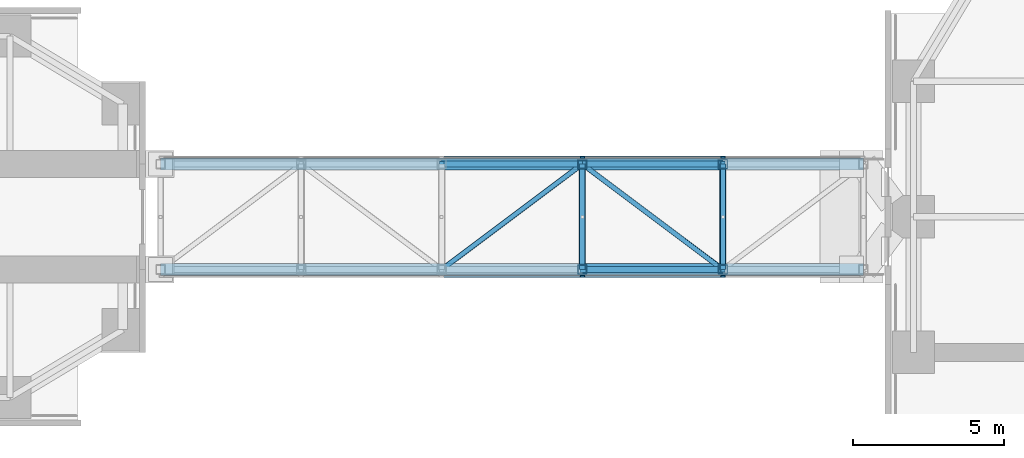
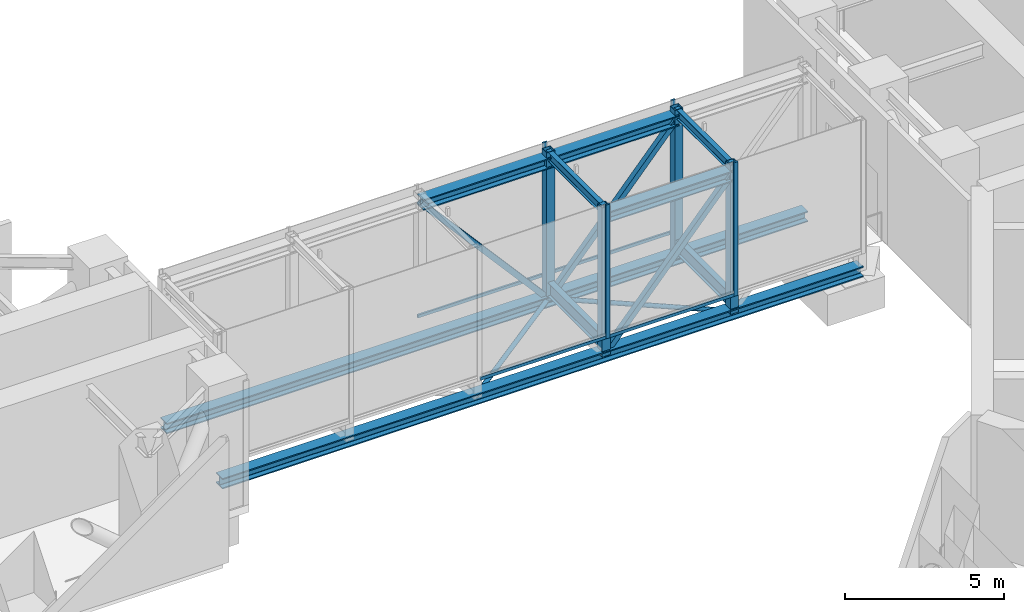
# One storey, part 4 of 17: 22 members, 4 beams, 2 elements without a shape of their own.
"""IFC4 building model written with IfcOpenShell, lengths in metres."""

import ifcopenshell
import ifcopenshell.guid

model = None  # the IFC model being written
_history = None  # IfcOwnerHistory: only IFC2X3 demands one
_inside = {}  # id of a spatial element -> (the spatial element, [elements in it])
_under = {}  # id of a project, library or spatial element -> (it, [spatial elements below it])
_declared = {}  # id of a project -> (the project, [libraries it declares])
_typed = {}  # id of a type object -> (the type object, [elements of that type])
_made_of = {}  # id of a material, layer set ... -> (it, [elements and type objects made of it])


def new_model(schema):
    """Start an empty IFC model of exactly this schema.

    Asked for "IFC4X3", IfcOpenShell would pick the latest addendum, in which some entities
    have other attributes; the version numbers below select the first issue.
    IFC2X3 requires an IfcOwnerHistory on every rooted entity: one is made here for all.
    """
    global model, _history
    if schema == "IFC4X3":
        model = ifcopenshell.file(schema_version=(4, 3, 0, 0))
    else:
        model = ifcopenshell.file(schema=schema)
    _inside.clear()
    _under.clear()
    _declared.clear()
    _typed.clear()
    _made_of.clear()
    _history = None
    if model.schema == "IFC2X3":
        org = make("IfcOrganization", Name="unknown")
        user = make(
            "IfcPersonAndOrganization",
            ThePerson=make("IfcPerson", FamilyName="unknown"),
            TheOrganization=org,
        )
        app = make(
            "IfcApplication",
            ApplicationDeveloper=org,
            Version="unknown",
            ApplicationFullName="unknown",
            ApplicationIdentifier="unknown",
        )
        _history = make(
            "IfcOwnerHistory",
            OwningUser=user,
            OwningApplication=app,
            ChangeAction="ADDED",
            CreationDate=0,
        )
    return model


def make(cls, **values):
    """One entity of the class cls with the attributes given. An attribute that is None is left unset."""
    return model.create_entity(
        cls, **{name: value for name, value in values.items() if value is not None}
    )


def rooted(cls, **values):
    """An entity with a GlobalId (a new one), such as an element, a storey or a relation."""
    return make(cls, GlobalId=ifcopenshell.guid.new(), OwnerHistory=_history, **values)


def si_unit(unit_type, name, prefix=None):
    """IfcSIUnit, for example si_unit("LENGTHUNIT", "METRE", prefix="MILLI")."""
    return make("IfcSIUnit", UnitType=unit_type, Prefix=prefix, Name=name)


def assignment(units):
    """IfcUnitAssignment: the units of a project."""
    return None if units is None else make("IfcUnitAssignment", Units=units)


def point(xyz):
    """IfcCartesianPoint."""
    return None if xyz is None else make("IfcCartesianPoint", Coordinates=xyz)


def direction(xyz):
    """IfcDirection."""
    return None if xyz is None else make("IfcDirection", DirectionRatios=xyz)


def frame(location, z_axis=None, x_axis=None):
    """IfcAxis2Placement3D, a coordinate frame: its origin and axes. An axis left out is left unset."""
    return make(
        "IfcAxis2Placement3D",
        Location=point(location),
        Axis=direction(z_axis),
        RefDirection=direction(x_axis),
    )


def frame_2d(location, x_axis=None):
    """IfcAxis2Placement2D, a coordinate frame in the plane: its origin and x axis."""
    return make(
        "IfcAxis2Placement2D", Location=point(location), RefDirection=direction(x_axis)
    )


def origin():
    """The frame at (0, 0, 0) with its axes left unset."""
    return frame((0.0, 0.0, 0.0))


def origin_2d():
    """The frame at (0, 0) in the plane with its x axis left unset."""
    return frame_2d((0.0, 0.0))


def place(relative_to, where):
    """IfcLocalPlacement: puts the frame where relative to a parent placement (None: the world)."""
    return make(
        "IfcLocalPlacement", PlacementRelTo=relative_to, RelativePlacement=where
    )


def context(
    kind, dimensions, precision=None, world=None, true_north=None, identifier=None
):
    """IfcGeometricRepresentationContext, for example the 3D "Model" context."""
    return make(
        "IfcGeometricRepresentationContext",
        ContextIdentifier=identifier,
        ContextType=kind,
        CoordinateSpaceDimension=dimensions,
        Precision=precision,
        WorldCoordinateSystem=world,
        TrueNorth=true_north,
    )


def subcontext(parent, identifier, kind, view, scale=None):
    """IfcGeometricRepresentationSubContext, for example "Body" below "Model"."""
    return make(
        "IfcGeometricRepresentationSubContext",
        ContextIdentifier=identifier,
        ContextType=kind,
        ParentContext=parent,
        TargetScale=scale,
        TargetView=view,
    )


def project(units=None, contexts=None):
    """IfcProject with its units and contexts."""
    return rooted(
        "IfcProject",
        Name="project",
        RepresentationContexts=contexts,
        UnitsInContext=assignment(units),
    )


def spatial(cls, under=None, at=None, **own):
    """A site, building, storey or space (cls), placed at a placement, below another one or the project."""
    s = rooted(cls, ObjectPlacement=at, **own)
    if under is not None:
        _under.setdefault(under.id(), (under, []))[1].append(s)
    return s


def profile(cls, at=None, kind="AREA", **sizes):
    """A parametric profile (cls). Its sizes go by their IFC names, for example OverallWidth=200.0."""
    return make(cls, ProfileType=kind, Position=at, **sizes)


def rectangle(**sizes):
    """IfcRectangleProfileDef."""
    return profile("IfcRectangleProfileDef", **sizes)


def hollow_rectangle(**sizes):
    """IfcRectangleHollowProfileDef."""
    return profile("IfcRectangleHollowProfileDef", **sizes)


def hollow_circle(**sizes):
    """IfcCircleHollowProfileDef."""
    return profile("IfcCircleHollowProfileDef", **sizes)


def i_section(**sizes):
    """IfcIShapeProfileDef."""
    return profile("IfcIShapeProfileDef", **sizes)


def extrude(swept, where, along, depth):
    """IfcExtrudedAreaSolid: the profile swept, set in the frame where, extruded along a direction by depth."""
    return make(
        "IfcExtrudedAreaSolid",
        SweptArea=swept,
        Position=where,
        ExtrudedDirection=direction(along),
        Depth=depth,
    )


def shape(context_of_items, identifier, shape_type, items):
    """IfcShapeRepresentation: the items that make up one representation, for example the "Body"."""
    return make(
        "IfcShapeRepresentation",
        ContextOfItems=context_of_items,
        RepresentationIdentifier=identifier,
        RepresentationType=shape_type,
        Items=items,
    )


def material(Name=None, Category=None):
    """IfcMaterial."""
    return make("IfcMaterial", Name=Name, Category=Category)


def material_profile(
    of_material, cross_section, Name=None, Category=None, Priority=None
):
    """IfcMaterialProfile: a cross section and its material."""
    return make(
        "IfcMaterialProfile",
        Name=Name,
        Material=of_material,
        Profile=cross_section,
        Priority=Priority,
        Category=Category,
    )


def profile_set(profiles, Name=None, composite=None):
    """IfcMaterialProfileSet."""
    return make(
        "IfcMaterialProfileSet",
        Name=Name,
        MaterialProfiles=profiles,
        CompositeProfile=composite,
    )


def made_of(thing, what):
    """Note that an element or type object is made of a material, layer set ...; save() writes the relation."""
    if what is not None:
        _made_of.setdefault(what.id(), (what, []))[1].append(thing)
    return thing


def type_object(cls, material=None, **own):
    """A type object (cls), such as IfcWallType, which elements share."""
    return made_of(rooted(cls, **own), material)


def element(
    cls,
    number,
    at=None,
    inside=None,
    cuts=None,
    type_object=None,
    material=None,
    context=None,
    identifier="Body",
    shape_type=None,
    held_by="IfcProductDefinitionShape",
    body=None,
    shapes=None,
    **own,
):
    """One element of the class cls, such as IfcWall. Its Tag is "e" and its number.

    at: its placement. inside: the storey or other place that contains it. cuts: it is an
    opening in that element (IfcRelVoidsElement). A single representation is given by context,
    identifier, shape_type and body (its items); several are given by shapes. held_by: the class
    of the entity that holds the representations. save() writes the other relations.
    """
    e = rooted(cls, Tag="e%d" % number, ObjectPlacement=at, **own)
    if body is not None:
        shapes = [shape(context, identifier, shape_type, body)]
    if shapes is not None:
        e.Representation = make(held_by, Representations=shapes)
    if inside is not None:
        _inside.setdefault(inside.id(), (inside, []))[1].append(e)
    if cuts is not None:
        rooted(
            "IfcRelVoidsElement", RelatingBuildingElement=cuts, RelatedOpeningElement=e
        )
    if type_object is not None:
        _typed.setdefault(type_object.id(), (type_object, []))[1].append(e)
    return made_of(e, material)


def aggregate(whole, parts):
    """IfcRelAggregates: a whole, such as a stair, and the parts it consists of."""
    return rooted("IfcRelAggregates", RelatingObject=whole, RelatedObjects=parts)


def save(model, path):
    """Write the relations noted so far, then the file.

    IfcRelAggregates (storeys below a building ...), IfcRelContainedInSpatialStructure (elements
    in a storey), IfcRelDefinesByType, IfcRelAssociatesMaterial and IfcRelDeclares: one each for
    every whole, place, type object, material and project.
    """
    for whole, parts in _under.values():
        aggregate(whole, parts)
    for where, things in _inside.values():
        rooted(
            "IfcRelContainedInSpatialStructure",
            RelatedElements=things,
            RelatingStructure=where,
        )
    for kind, things in _typed.values():
        rooted("IfcRelDefinesByType", RelatedObjects=things, RelatingType=kind)
    for what, things in _made_of.values():
        rooted("IfcRelAssociatesMaterial", RelatedObjects=things, RelatingMaterial=what)
    for by, libraries in _declared.values():
        rooted("IfcRelDeclares", RelatingContext=by, RelatedDefinitions=libraries)
    model.write(path)


model = new_model("IFC4")

# Units and contexts
model_context = context("Model", 3, precision=1e-05, world=origin(), true_north=direction((0.0, 1.0)))
body_context = subcontext(model_context, "Body", "Model", "MODEL_VIEW")
ifc_project = project(units=[si_unit("LENGTHUNIT", "METRE"), si_unit("AREAUNIT", "SQUARE_METRE"), si_unit("VOLUMEUNIT", "CUBIC_METRE"), si_unit("PLANEANGLEUNIT", "RADIAN"), si_unit("MASSUNIT", "GRAM", prefix="KILO")], contexts=[model_context])

# Site, building, storey
site_placement = place(None, origin())
site = spatial("IfcSite", under=ifc_project, at=site_placement, CompositionType="ELEMENT")
building_placement = place(site_placement, origin())
building = spatial("IfcBuilding", under=site, at=building_placement, Name="Upepo Twin Towers", CompositionType="ELEMENT")
storey_placement = place(building_placement, frame((0.0, 0.0, 92.5)))
storey = spatial("IfcBuildingStorey", under=building, at=storey_placement, Name="L22", CompositionType="ELEMENT", Elevation=92.5)

# Beams
ifc_material_1 = material(Name="Steel S355", Category="steel")
ifc_material_profile_1 = material_profile(ifc_material_1, i_section(OverallWidth=0.17138671875, OverallDepth=0.35498046875, WebThickness=0.00732421875, FlangeThickness=0.011474609375, FilletRadius=0.01025390625, at=origin_2d()), Name="UB 356x171x51")
ifc_profile_set_1 = profile_set([ifc_material_profile_1], Name="Steel S355")
beam_type_1 = type_object("IfcBeamType", Name="Beam UB 356x171x51", PredefinedType="BEAM", material=ifc_profile_set_1)
for number, where, z_axis, x_axis, name in (
    (1, (41.50390625, -1.75, 4.62255859375), (0.0, 1.0, 0.0), (-1.0, 0.0, 0.0), "BR1 roof beam 3"),
    (2, (46.172119140625, -1.75, 4.62255859375), (0.0, 1.0, 0.0), (-1.0, 0.0, 0.0), "BR1 roof beam 4"),
):
    element("IfcBeam", number, at=place(storey_placement, frame(where, z_axis=z_axis, x_axis=x_axis)), inside=storey, type_object=beam_type_1, Name=name, PredefinedType="BEAM", context=body_context, shape_type="SweptSolid", body=[
        extrude(i_section(OverallWidth=0.17138671875, OverallDepth=0.35498046875, WebThickness=0.00732421875, FlangeThickness=0.011474609375, FilletRadius=0.01025390625, at=origin_2d()), origin(), (0.0, 0.0, 1.0), 3.5),
    ])
ifc_material_2 = material(Name="Steel S355", Category="steel")
ifc_material_profile_2 = material_profile(ifc_material_2, i_section(OverallWidth=0.209228515625, OverallDepth=0.533203125, WebThickness=0.010009765625, FlangeThickness=0.015625, FilletRadius=0.0126953125, at=origin_2d()), Name="UB 533x210x92")
ifc_profile_set_2 = profile_set([ifc_material_profile_2], Name="Steel S355")
beam_type_2 = type_object("IfcBeamType", Name="Beam UB 533x210x92", PredefinedType="BEAM", material=ifc_profile_set_2)
for number, where, z_axis, x_axis, name in (
    (3, (41.50390625, -1.75, -0.466552734375), (0.0, 1.0, 0.0), (-1.0, 0.0, 0.0), "BR1 floor beam 3"),
    (4, (46.172119140625, -1.75, -0.466552734375), (0.0, 1.0, 0.0), (-1.0, 0.0, 0.0), "BR1 floor beam 4"),
):
    element("IfcBeam", number, at=place(storey_placement, frame(where, z_axis=z_axis, x_axis=x_axis)), inside=storey, type_object=beam_type_2, Name=name, PredefinedType="BEAM", context=body_context, shape_type="SweptSolid", body=[
        extrude(i_section(OverallWidth=0.209228515625, OverallDepth=0.533203125, WebThickness=0.010009765625, FlangeThickness=0.015625, FilletRadius=0.0126953125, at=origin_2d()), origin(), (0.0, 0.0, 1.0), 3.5),
    ])

# Members
ifc_material_3 = material(Name="Steel S355", Category="steel")
ifc_material_profile_3 = material_profile(ifc_material_3, i_section(OverallWidth=0.403076171875, OverallDepth=0.406494140625, WebThickness=0.026611328125, FlangeThickness=0.04296875, FilletRadius=0.01513671875, at=origin_2d()), Name="UC 356x406x340")
ifc_profile_set_3 = profile_set([ifc_material_profile_3], Name="Steel S355")
member_type_1 = type_object("IfcMemberType", Name="Bridge chord UC 356x406x340", PredefinedType="CHORD", material=ifc_profile_set_3)
member_1_placement = place(storey_placement, frame((36.8359375, 1.75, 4.39990234375), z_axis=(1.0, 0.0, 0.0), x_axis=(0.0, 1.0, 0.0)))
element("IfcMember", 5, at=member_1_placement, inside=storey, type_object=member_type_1, Name="BR1 top chord N3", PredefinedType="CHORD", context=body_context, shape_type="SweptSolid", body=[
    extrude(i_section(OverallWidth=0.403076171875, OverallDepth=0.406494140625, WebThickness=0.026611328125, FlangeThickness=0.04296875, FilletRadius=0.01513671875, at=origin_2d()), origin(), (0.0, 0.0, 1.0), 4.66796875),
])
member_2_placement = place(storey_placement, frame((41.50390625, 1.75, 4.39990234375), z_axis=(1.0, 0.0, 0.0), x_axis=(0.0, 1.0, 0.0)))
element("IfcMember", 6, at=member_2_placement, inside=storey, type_object=member_type_1, Name="BR1 top chord N4", PredefinedType="CHORD", context=body_context, shape_type="SweptSolid", body=[
    extrude(i_section(OverallWidth=0.403076171875, OverallDepth=0.406494140625, WebThickness=0.026611328125, FlangeThickness=0.04296875, FilletRadius=0.01513671875, at=origin_2d()), origin(), (0.0, 0.0, 1.0), 4.668212890625),
])
member_3_placement = place(storey_placement, frame((27.5, 1.75, -0.936279296875), z_axis=(1.0, 0.0, 0.0), x_axis=(0.0, 1.0, 0.0)))
element("IfcMember", 7, at=member_3_placement, inside=storey, type_object=member_type_1, Name="BR1 bottom chord N", PredefinedType="CHORD", context=body_context, shape_type="SweptSolid", body=[
    extrude(i_section(OverallWidth=0.403076171875, OverallDepth=0.406494140625, WebThickness=0.026611328125, FlangeThickness=0.04296875, FilletRadius=0.01513671875, at=origin_2d()), origin(), (0.0, 0.0, 1.0), 23.340087890625),
])
member_4_placement = place(storey_placement, frame((41.50390625, -1.75, 4.39990234375), z_axis=(1.0, 0.0, 0.0), x_axis=(0.0, 1.0, 0.0)))
element("IfcMember", 8, at=member_4_placement, inside=storey, type_object=member_type_1, Name="BR1 top chord S4", PredefinedType="CHORD", context=body_context, shape_type="SweptSolid", body=[
    extrude(i_section(OverallWidth=0.403076171875, OverallDepth=0.406494140625, WebThickness=0.026611328125, FlangeThickness=0.04296875, FilletRadius=0.01513671875, at=origin_2d()), origin(), (0.0, 0.0, 1.0), 4.668212890625),
])
member_5_placement = place(storey_placement, frame((27.5, -1.75, -0.936279296875), z_axis=(1.0, 0.0, 0.0), x_axis=(0.0, 1.0, 0.0)))
element("IfcMember", 9, at=member_5_placement, inside=storey, type_object=member_type_1, Name="BR1 bottom chord S", PredefinedType="CHORD", context=body_context, shape_type="SweptSolid", body=[
    extrude(i_section(OverallWidth=0.403076171875, OverallDepth=0.406494140625, WebThickness=0.026611328125, FlangeThickness=0.04296875, FilletRadius=0.01513671875, at=origin_2d()), origin(), (0.0, 0.0, 1.0), 23.340087890625),
])
ifc_material_4 = material(Name="Steel S355", Category="steel")
ifc_material_profile_4 = material_profile(ifc_material_4, hollow_rectangle(XDim=0.199951171875, YDim=0.199951171875, WallThickness=0.010009765625, at=origin_2d()), Name="SHS 200x200x10.0")
ifc_profile_set_4 = profile_set([ifc_material_profile_4], Name="Steel S355")
member_type_2 = type_object("IfcMemberType", Name="Bridge diagonal SHS 200x200x10.0", PredefinedType="BRACE", material=ifc_profile_set_4)
for number, where, z_axis, x_axis, name in (
    (10, (36.8359375, 1.75, 4.39990234375), (0.658409523665, 0.0, -0.75265988278), (0.0, 1.0, 0.0), "BR1 diagonal N3"),
    (11, (41.50390625, 1.75, -0.936279296875), (0.658429030688, 0.0, 0.75264281804), (0.0, 1.0, 0.0), "BR1 diagonal N4"),
    (12, (41.50390625, -1.75, -0.936279296875), (0.658429030688, 0.0, 0.75264281804), (0.0, 1.0, 0.0), "BR1 diagonal S4"),
):
    element("IfcMember", number, at=place(storey_placement, frame(where, z_axis=z_axis, x_axis=x_axis)), inside=storey, type_object=member_type_2, Name=name, PredefinedType="BRACE", context=body_context, shape_type="SweptSolid", body=[
        extrude(hollow_rectangle(XDim=0.199951171875, YDim=0.199951171875, WallThickness=0.010009765625, at=origin_2d()), origin(), (0.0, 0.0, 1.0), 7.08984375),
    ])
ifc_material_5 = material(Name="Steel S355", Category="steel")
ifc_material_profile_5 = material_profile(ifc_material_5, hollow_circle(Radius=0.084228515625, WallThickness=0.008056640625, at=origin_2d()), Name="CHS 168.3x8.0")
ifc_profile_set_5 = profile_set([ifc_material_profile_5], Name="Steel S355")
member_type_3 = type_object("IfcMemberType", Name="Bridge plan brace CHS 168.3x8.0", PredefinedType="BRACE", material=ifc_profile_set_5)
for number, where, z_axis, x_axis, name in (
    (13, (36.8359375, -1.75, -0.936279296875), (0.800080335623, 0.599892870894, 0.0), (-0.599892870894, 0.800080335623, 0.0), "BR1 plan brace 3"),
    (14, (41.50390625, 1.75, -0.936279296875), (0.800095393762, -0.599872787248, 0.0), (0.599872787248, 0.800095393762, 0.0), "BR1 plan brace 4"),
):
    element("IfcMember", number, at=place(storey_placement, frame(where, z_axis=z_axis, x_axis=x_axis)), inside=storey, type_object=member_type_3, Name=name, PredefinedType="BRACE", context=body_context, shape_type="SweptSolid", body=[
        extrude(hollow_circle(Radius=0.084228515625, WallThickness=0.008056640625, at=origin_2d()), origin(), (0.0, 0.0, 1.0), 5.83447265625),
    ])
ifc_material_6 = material(Name="Steel S355", Category="steel")
ifc_material_profile_6 = material_profile(ifc_material_6, hollow_rectangle(XDim=0.300048828125, YDim=0.300048828125, WallThickness=0.012451171875, at=origin_2d()), Name="SHS 300x300x12.5")
ifc_profile_set_6 = profile_set([ifc_material_profile_6], Name="Steel S355")
member_type_4 = type_object("IfcMemberType", Name="Bridge post SHS 300x300x12.5", PredefinedType="POST", material=ifc_profile_set_6)
for number, where, z_axis, x_axis, name in (
    (15, (41.50390625, 1.75, -0.936279296875), (0.0, 0.0, 1.0), (1.0, 0.0, 0.0), "BR1 vertical N3"),
    (16, (46.172119140625, 1.75, -0.936279296875), (0.0, 0.0, 1.0), (1.0, 0.0, 0.0), "BR1 vertical N4"),
    (17, (41.50390625, -1.75, -0.936279296875), (0.0, 0.0, 1.0), (1.0, 0.0, 0.0), "BR1 vertical S3"),
    (18, (46.172119140625, -1.75, -0.936279296875), (0.0, 0.0, 1.0), (1.0, 0.0, 0.0), "BR1 vertical S4"),
):
    element("IfcMember", number, at=place(storey_placement, frame(where, z_axis=z_axis, x_axis=x_axis)), inside=storey, type_object=member_type_4, Name=name, PredefinedType="POST", context=body_context, shape_type="SweptSolid", body=[
        extrude(hollow_rectangle(XDim=0.300048828125, YDim=0.300048828125, WallThickness=0.012451171875, at=origin_2d()), origin(), (0.0, 0.0, 1.0), 5.736328125),
    ])

# Curtain wall, members
ifc_material_7 = material(Name="Aluminium and clear glass", Category="aluminium")
curtain_wall_type = type_object("IfcCurtainWallType", Name="Bridge curtain wall BW1", PredefinedType="NOTDEFINED", material=ifc_material_7)
curtain_wall_1_placement = place(storey_placement, origin())
curtain_wall_1 = element("IfcCurtainWall", 19, at=curtain_wall_1_placement, inside=storey, type_object=curtain_wall_type, Name="BR1 curtain wall N", PredefinedType="NOTDEFINED")
ifc_material_8 = material(Name="Aluminium mullion", Category="aluminium")
ifc_material_profile_7 = material_profile(ifc_material_8, rectangle(XDim=0.06494140625, YDim=0.14990234375, at=origin_2d()), Name="MULLION 65x150 BRIDGE")
ifc_profile_set_7 = profile_set([ifc_material_profile_7], Name="Aluminium mullion")
member_type_5 = type_object("IfcMemberType", Name="Mullion 65x150 BW1", PredefinedType="MULLION", material=ifc_profile_set_7)
member_6_placement = place(storey_placement, frame((46.172119140625, 1.97509765625, -0.199951171875), z_axis=(0.0, 0.0, 1.0), x_axis=(0.0, -1.0, 0.0)))
member_6 = element("IfcMember", 20, at=member_6_placement, type_object=member_type_5, Name="BR1 curtain wall N mullion 2", PredefinedType="MULLION", context=body_context, shape_type="SweptSolid", body=[
    extrude(rectangle(XDim=0.06494140625, YDim=0.14990234375, at=origin_2d()), origin(), (0.0, 0.0, 1.0), 5.14990234375),
])
member_7_placement = place(storey_placement, frame((41.50390625, 1.97509765625, -0.199951171875), z_axis=(0.0, 0.0, 1.0), x_axis=(0.0, -1.0, 0.0)))
member_7 = element("IfcMember", 21, at=member_7_placement, type_object=member_type_5, Name="BR1 curtain wall N mullion 3", PredefinedType="MULLION", context=body_context, shape_type="SweptSolid", body=[
    extrude(rectangle(XDim=0.06494140625, YDim=0.14990234375, at=origin_2d()), origin(), (0.0, 0.0, 1.0), 5.14990234375),
])

curtain_wall_2_placement = place(storey_placement, origin())
curtain_wall_2 = element("IfcCurtainWall", 22, at=curtain_wall_2_placement, inside=storey, type_object=curtain_wall_type, Name="BR1 curtain wall S", PredefinedType="NOTDEFINED")
member_8_placement = place(storey_placement, frame((41.50390625, -1.97509765625, -0.199951171875), z_axis=(0.0, 0.0, 1.0), x_axis=(0.0, 1.0, 0.0)))
member_8 = element("IfcMember", 23, at=member_8_placement, type_object=member_type_5, Name="BR1 curtain wall S mullion 4", PredefinedType="MULLION", context=body_context, shape_type="SweptSolid", body=[
    extrude(rectangle(XDim=0.06494140625, YDim=0.14990234375, at=origin_2d()), origin(), (0.0, 0.0, 1.0), 5.14990234375),
])
member_9_placement = place(storey_placement, frame((46.172119140625, -1.97509765625, -0.199951171875), z_axis=(0.0, 0.0, 1.0), x_axis=(0.0, 1.0, 0.0)))
member_9 = element("IfcMember", 24, at=member_9_placement, type_object=member_type_5, Name="BR1 curtain wall S mullion 5", PredefinedType="MULLION", context=body_context, shape_type="SweptSolid", body=[
    extrude(rectangle(XDim=0.06494140625, YDim=0.14990234375, at=origin_2d()), origin(), (0.0, 0.0, 1.0), 5.14990234375),
])

# Member
ifc_material_9 = material(Name="Aluminium transom", Category="aluminium")
ifc_material_profile_8 = material_profile(ifc_material_9, rectangle(XDim=0.06494140625, YDim=0.1201171875, at=origin_2d()), Name="TRANSOM 65x120 BRIDGE")
ifc_profile_set_8 = profile_set([ifc_material_profile_8], Name="Aluminium transom")
member_type_6 = type_object("IfcMemberType", Name="Transom 65x120 BW1", PredefinedType="USERDEFINED", material=ifc_profile_set_8)
member_10_placement = place(storey_placement, frame((46.139404296875, 1.97509765625, -0.139892578125), z_axis=(-1.0, 0.0, 0.0), x_axis=(0.0, -1.0, 0.0)))
member_10 = element("IfcMember", 25, at=member_10_placement, type_object=member_type_6, Name="BR1 curtain wall N transom 2", ObjectType="TRANSOM", PredefinedType="USERDEFINED", context=body_context, shape_type="SweptSolid", body=[
    extrude(rectangle(XDim=0.06494140625, YDim=0.1201171875, at=origin_2d()), origin(), (0.0, 0.0, 1.0), 4.602783203125),
])

member_11_placement = place(storey_placement, frame((41.471435546875, 1.97509765625, -0.139892578125), z_axis=(-1.0, 0.0, 0.0), x_axis=(0.0, -1.0, 0.0)))
member_11 = element("IfcMember", 26, at=member_11_placement, type_object=member_type_6, Name="BR1 curtain wall N transom 3", ObjectType="TRANSOM", PredefinedType="USERDEFINED", context=body_context, shape_type="SweptSolid", body=[
    extrude(rectangle(XDim=0.06494140625, YDim=0.1201171875, at=origin_2d()), origin(), (0.0, 0.0, 1.0), 4.60302734375),
])

aggregate(curtain_wall_1, [member_6, member_7, member_10, member_11])

member_12_placement = place(storey_placement, frame((36.868408203125, -1.97509765625, -0.139892578125), z_axis=(1.0, 0.0, 0.0), x_axis=(0.0, 1.0, 0.0)))
member_12 = element("IfcMember", 27, at=member_12_placement, type_object=member_type_6, Name="BR1 curtain wall S transom 3", ObjectType="TRANSOM", PredefinedType="USERDEFINED", context=body_context, shape_type="SweptSolid", body=[
    extrude(rectangle(XDim=0.06494140625, YDim=0.1201171875, at=origin_2d()), origin(), (0.0, 0.0, 1.0), 4.60302734375),
])

member_13_placement = place(storey_placement, frame((41.53662109375, -1.97509765625, -0.139892578125), z_axis=(1.0, 0.0, 0.0), x_axis=(0.0, 1.0, 0.0)))
member_13 = element("IfcMember", 28, at=member_13_placement, type_object=member_type_6, Name="BR1 curtain wall S transom 4", ObjectType="TRANSOM", PredefinedType="USERDEFINED", context=body_context, shape_type="SweptSolid", body=[
    extrude(rectangle(XDim=0.06494140625, YDim=0.1201171875, at=origin_2d()), origin(), (0.0, 0.0, 1.0), 4.602783203125),
])

aggregate(curtain_wall_2, [member_8, member_9, member_12, member_13])

save(model, "model.ifc")
